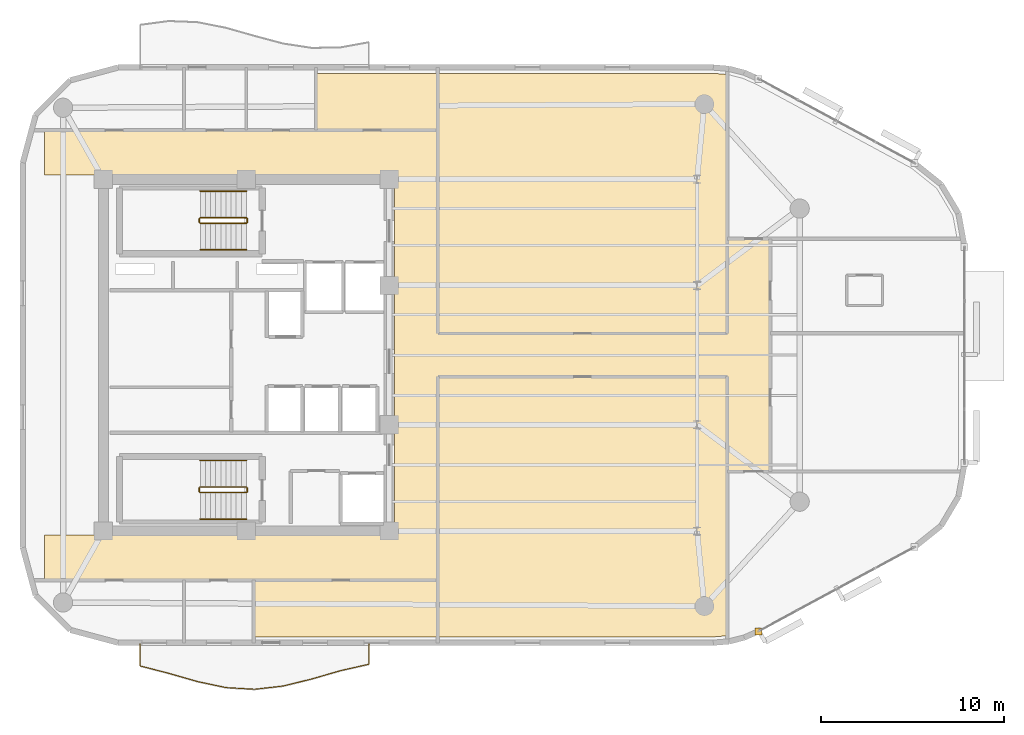
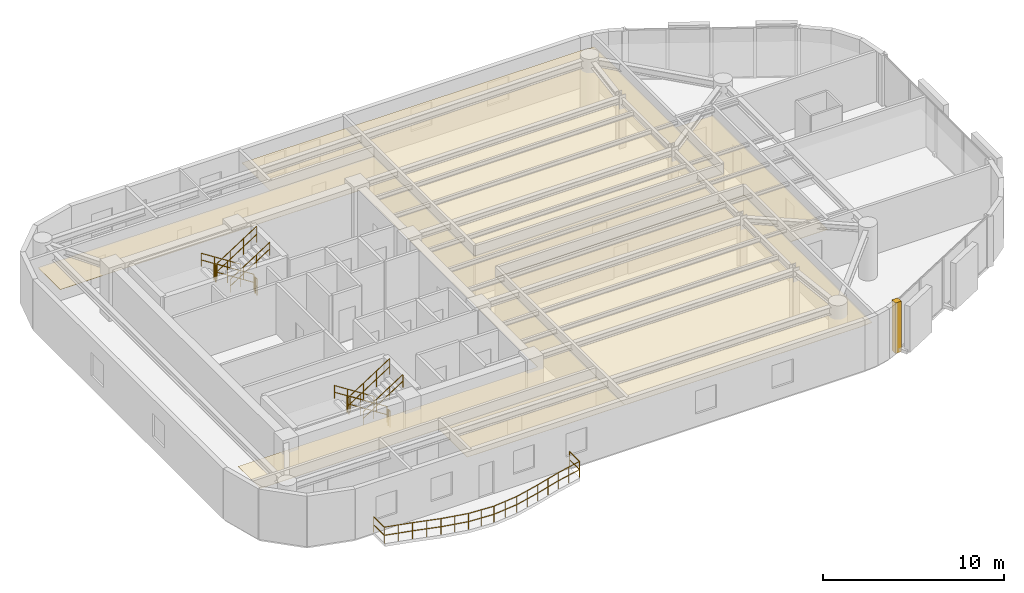
# One storey, part 12 of 13: 13 railings, 6 coverings.
"""IFC4 building model written with IfcOpenShell, lengths in metres."""

from ifc_helpers import new_model, si_unit, direction, frame, origin, origin_2d, place, context, subcontext, project, spatial, polyline, rectangle, circle, outline, extrude, material, layer, layer_set, type_object, element, save


model = new_model("IFC4")

# Units and contexts
model_context = context("Model", 3, precision=1e-05, world=origin(), true_north=direction((0.0, 1.0)))
body_context = subcontext(model_context, "Body", "Model", "MODEL_VIEW")
ifc_project = project(units=[si_unit("LENGTHUNIT", "METRE"), si_unit("AREAUNIT", "SQUARE_METRE"), si_unit("VOLUMEUNIT", "CUBIC_METRE"), si_unit("PLANEANGLEUNIT", "RADIAN"), si_unit("MASSUNIT", "GRAM", prefix="KILO")], contexts=[model_context])

# Site, building, storey
site_placement = place(None, origin())
site = spatial("IfcSite", under=ifc_project, at=site_placement, CompositionType="ELEMENT")
building_placement = place(site_placement, origin())
building = spatial("IfcBuilding", under=site, at=building_placement, Name="An Khanh Terracotta Commons", CompositionType="ELEMENT")
storey_placement = place(building_placement, frame((0.0, 0.0, 233.699951171875)))
storey = spatial("IfcBuildingStorey", under=building, at=storey_placement, Name="L61", CompositionType="ELEMENT", Elevation=233.699951171875)

# Coverings
ifc_material_1 = material(Name="Perforated Mineral-Fibre Acoustic Tile")
ifc_layer_1 = layer(ifc_material_1, 0.02001953125, Name="Perforated Mineral-Fibre Acoustic Tile")
ifc_layer_set_1 = layer_set([ifc_layer_1], Name="Perforated Mineral-Fibre Acoustic Tile")
covering_type_1 = type_object("IfcCoveringType", Name="CEIL-ACOUSTIC-18", PredefinedType="CEILING", material=ifc_layer_set_1)
covering_1_placement = place(storey_placement, frame((0.0, 0.0, 2.650146484375)))
element("IfcCovering", 1, at=covering_1_placement, inside=storey, type_object=covering_type_1, Name="L61 Corridor Ceiling", PredefinedType="CEILING", context=body_context, shape_type="SweptSolid", body=[
    extrude(outline(polyline([(18.39990234375, 11.719970703125), (18.39990234375, 14.179931640625), (37.5, 14.179931640625), (37.5, 33.820068359375), (18.39990234375, 33.820068359375), (18.39990234375, 36.280029296875), (37.5, 36.280029296875), (39.85009765625, 36.280029296875), (39.85009765625, 33.820068359375), (39.85009765625, 25.179931640625), (55.64990234375, 25.179931640625), (55.64990234375, 30.35009765625), (58.0, 30.35009765625), (58.0, 25.179931640625), (58.0, 22.820068359375), (58.0, 17.64990234375), (55.64990234375, 17.64990234375), (55.64990234375, 22.820068359375), (39.85009765625, 22.820068359375), (39.85009765625, 14.179931640625), (39.85009765625, 11.719970703125), (37.5, 11.719970703125), (18.39990234375, 11.719970703125)])), origin(), (0.0, 0.0, 1.0), 0.02001953125),
])
covering_2_placement = place(storey_placement, frame((0.0, 0.0, 2.650146484375)))
element("IfcCovering", 2, at=covering_2_placement, inside=storey, type_object=covering_type_1, Name="L61 Student Reading Library Ceiling", PredefinedType="CEILING", context=body_context, shape_type="SweptSolid", body=[
    extrude(outline(polyline([(54.8720703125, 39.3798828125), (55.64990234375, 39.31494140625), (55.64990234375, 30.35009765625), (55.64990234375, 25.179931640625), (39.85009765625, 25.179931640625), (39.85009765625, 33.820068359375), (39.85009765625, 36.280029296875), (39.85009765625, 39.3798828125), (54.8720703125, 39.3798828125)])), origin(), (0.0, 0.0, 1.0), 0.02001953125),
])
covering_3_placement = place(storey_placement, frame((0.0, 0.0, 2.650146484375)))
element("IfcCovering", 3, at=covering_3_placement, inside=storey, type_object=covering_type_1, Name="L61 Riverfront Reading Hall Ceiling", PredefinedType="CEILING", context=body_context, shape_type="SweptSolid", body=[
    extrude(outline(polyline([(54.8720703125, 8.6201171875), (39.85009765625, 8.6201171875), (39.85009765625, 11.719970703125), (39.85009765625, 14.179931640625), (39.85009765625, 22.820068359375), (55.64990234375, 22.820068359375), (55.64990234375, 17.64990234375), (55.64990234375, 8.68505859375), (54.8720703125, 8.6201171875)])), origin(), (0.0, 0.0, 1.0), 0.02001953125),
])
covering_4_placement = place(storey_placement, frame((0.0, 0.0, 2.650146484375)))
element("IfcCovering", 4, at=covering_4_placement, inside=storey, type_object=covering_type_1, Name="L61 Academic Seminar Room Ceiling", PredefinedType="CEILING", context=body_context, shape_type="SweptSolid", body=[
    extrude(outline(polyline([(39.85009765625, 39.3798828125), (39.85009765625, 36.280029296875), (37.5, 36.280029296875), (33.199951171875, 36.280029296875), (33.199951171875, 39.35009765625), (33.199951171875, 39.3798828125), (39.85009765625, 39.3798828125)])), origin(), (0.0, 0.0, 1.0), 0.02001953125),
])
covering_5_placement = place(storey_placement, frame((0.0, 0.0, 2.650146484375)))
element("IfcCovering", 5, at=covering_5_placement, inside=storey, type_object=covering_type_1, Name="L61 Academic Seminar Room Ceiling", PredefinedType="CEILING", context=body_context, shape_type="SweptSolid", body=[
    extrude(outline(polyline([(29.800048828125, 8.6201171875), (29.800048828125, 8.64990234375), (29.800048828125, 11.719970703125), (37.5, 11.719970703125), (39.85009765625, 11.719970703125), (39.85009765625, 8.6201171875), (29.800048828125, 8.6201171875)])), origin(), (0.0, 0.0, 1.0), 0.02001953125),
])
ifc_material_2 = material(Name="Fired Terracotta Rainscreen Cladding", Category="masonry")
ifc_layer_2 = layer(ifc_material_2, 0.080078125, Name="Fired Terracotta Rainscreen Cladding")
ifc_layer_set_2 = layer_set([ifc_layer_2], Name="Fired Terracotta Rainscreen Cladding")
covering_type_2 = type_object("IfcCoveringType", Name="COV-JAMB-TERRA", PredefinedType="CLADDING", material=ifc_layer_set_2)
covering_6_placement = place(storey_placement, frame((57.35693359375, 8.925048828125, 0.0), z_axis=(0.0, 0.0, 1.0), x_axis=(1.0, 0.0, 0.0)))
element("IfcCovering", 6, at=covering_6_placement, inside=storey, type_object=covering_type_2, Name="L61 CW-03 Curtain-Wall Jamb Closure JA", PredefinedType="CLADDING", context=body_context, shape_type="SweptSolid", body=[
    extrude(rectangle(XDim=0.3798828125, YDim=0.3798828125, at=origin_2d()), origin(), (0.0, 0.0, 1.0), 3.39990234375),
])

# Railings
ifc_material_3 = material(Name="Brushed Stainless Steel 316", Category="steel")
railing_type_1 = type_object("IfcRailingType", Name="RAIL-BALUSTRADE-1100", PredefinedType="BALUSTRADE", material=ifc_material_3)
railing_1_placement = place(storey_placement, frame((23.60009765625, 8.239990234375, 0.0)))
element("IfcRailing", 7, at=railing_1_placement, inside=storey, type_object=railing_type_1, Name="L61 S Wave Balcony Guard Balustrade", PredefinedType="BALUSTRADE", context=body_context, shape_type="SweptSolid", body=[
    extrude(circle(Radius=0.02392578125, at=origin_2d()), frame((0.0, 0.0, 1.076171875), z_axis=(0.0, -1.0, 0.0), x_axis=(1.0, 0.0, 0.0)), (0.0, 0.0, 1.0), 1.199951171875),
    extrude(circle(Radius=0.02392578125, at=origin_2d()), frame((0.0, 0.0, 0.52587890625), z_axis=(0.0, -1.0, 0.0), x_axis=(1.0, 0.0, 0.0)), (0.0, 0.0, 1.0), 1.199951171875),
    extrude(circle(Radius=0.02392578125, at=origin_2d()), frame((0.0, -1.199951171875, 1.076171875), z_axis=(0.968464779467, -0.24915049856, 0.0), x_axis=(0.24915049856, 0.968464779467, 0.0)), (0.0, 0.0, 1.0), 1.61376953125),
    extrude(circle(Radius=0.02392578125, at=origin_2d()), frame((0.0, -1.199951171875, 0.52587890625), z_axis=(0.968464779467, -0.24915049856, 0.0), x_axis=(0.24915049856, 0.968464779467, 0.0)), (0.0, 0.0, 1.0), 1.61376953125),
    extrude(circle(Radius=0.02392578125, at=origin_2d()), frame((1.56298828125, -1.60205078125, 1.076171875), z_axis=(0.961086255424, -0.27624845635, 0.0), x_axis=(0.27624845635, 0.961086255424, 0.0)), (0.0, 0.0, 1.0), 1.625244140625),
    extrude(circle(Radius=0.02392578125, at=origin_2d()), frame((1.56298828125, -1.60205078125, 0.52587890625), z_axis=(0.961086255424, -0.27624845635, 0.0), x_axis=(0.27624845635, 0.961086255424, 0.0)), (0.0, 0.0, 1.0), 1.625244140625),
    extrude(circle(Radius=0.02392578125, at=origin_2d()), frame((3.125, -2.051025390625, 1.076171875), z_axis=(0.97817205175, -0.207796624552, 0.0), x_axis=(0.207796624552, 0.97817205175, 0.0)), (0.0, 0.0, 1.0), 1.597900390625),
    extrude(circle(Radius=0.02392578125, at=origin_2d()), frame((3.125, -2.051025390625, 0.52587890625), z_axis=(0.97817205175, -0.207796624552, 0.0), x_axis=(0.207796624552, 0.97817205175, 0.0)), (0.0, 0.0, 1.0), 1.597900390625),
    extrude(circle(Radius=0.02392578125, at=origin_2d()), frame((4.68798828125, -2.383056640625, 1.076171875), z_axis=(0.998231609022, -0.059444551897, 0.0), x_axis=(0.059444551897, 0.998231609022, 0.0)), (0.0, 0.0, 1.0), 1.564697265625),
    extrude(circle(Radius=0.02392578125, at=origin_2d()), frame((4.68798828125, -2.383056640625, 0.52587890625), z_axis=(0.998231609022, -0.059444551897, 0.0), x_axis=(0.059444551897, 0.998231609022, 0.0)), (0.0, 0.0, 1.0), 1.564697265625),
    extrude(circle(Radius=0.02392578125, at=origin_2d()), frame((6.25, -2.47607421875, 1.076171875), z_axis=(0.993579111219, 0.113139514539, 0.0), x_axis=(-0.113139514539, 0.993579111219, 0.0)), (0.0, 0.0, 1.0), 1.572998046875),
    extrude(circle(Radius=0.02392578125, at=origin_2d()), frame((6.25, -2.47607421875, 0.52587890625), z_axis=(0.993579111219, 0.113139514539, 0.0), x_axis=(-0.113139514539, 0.993579111219, 0.0)), (0.0, 0.0, 1.0), 1.572998046875),
    extrude(circle(Radius=0.02392578125, at=origin_2d()), frame((7.81298828125, -2.298095703125, 1.076171875), z_axis=(0.970799395481, 0.239892754651, 0.0), x_axis=(-0.239892754651, 0.970799395481, 0.0)), (0.0, 0.0, 1.0), 1.60888671875),
    extrude(circle(Radius=0.02392578125, at=origin_2d()), frame((7.81298828125, -2.298095703125, 0.52587890625), z_axis=(0.970799395481, 0.239892754651, 0.0), x_axis=(-0.239892754651, 0.970799395481, 0.0)), (0.0, 0.0, 1.0), 1.60888671875),
    extrude(circle(Radius=0.02392578125, at=origin_2d()), frame((9.375, -1.912109375, 1.076171875), z_axis=(0.960612763992, 0.277890477806, 0.0), x_axis=(-0.277890477806, 0.960612763992, 0.0)), (0.0, 0.0, 1.0), 1.626953125),
    extrude(circle(Radius=0.02392578125, at=origin_2d()), frame((9.375, -1.912109375, 0.52587890625), z_axis=(0.960612763992, 0.277890477806, 0.0), x_axis=(-0.277890477806, 0.960612763992, 0.0)), (0.0, 0.0, 1.0), 1.626953125),
    extrude(circle(Radius=0.02392578125, at=origin_2d()), frame((10.93798828125, -1.4599609375, 1.076171875), z_axis=(0.975267439608, 0.221028100568, 0.0), x_axis=(-0.221028100568, 0.975267439608, 0.0)), (0.0, 0.0, 1.0), 1.6015625),
    extrude(circle(Radius=0.02392578125, at=origin_2d()), frame((10.93798828125, -1.4599609375, 0.52587890625), z_axis=(0.975267439608, 0.221028100568, 0.0), x_axis=(-0.221028100568, 0.975267439608, 0.0)), (0.0, 0.0, 1.0), 1.6015625),
    extrude(circle(Radius=0.02392578125, at=origin_2d()), frame((12.5, -1.10595703125, 1.076171875), z_axis=(0.0, 1.0, 0.0), x_axis=(-1.0, 0.0, 0.0)), (0.0, 0.0, 1.0), 1.10595703125),
    extrude(circle(Radius=0.02392578125, at=origin_2d()), frame((12.5, -1.10595703125, 0.52587890625), z_axis=(0.0, 1.0, 0.0), x_axis=(-1.0, 0.0, 0.0)), (0.0, 0.0, 1.0), 1.10595703125),
    extrude(circle(Radius=0.02099609375, at=origin_2d()), origin(), (0.0, 0.0, 1.0), 1.052001953125),
    extrude(circle(Radius=0.02099609375, at=origin_2d()), frame((0.0, -1.199951171875, 0.0)), (0.0, 0.0, 1.0), 1.052001953125),
    extrude(circle(Radius=0.02099609375, at=origin_2d()), frame((0.781494140625, -1.40087890625, 0.0)), (0.0, 0.0, 1.0), 1.052001953125),
    extrude(circle(Radius=0.02099609375, at=origin_2d()), frame((1.56298828125, -1.60205078125, 0.0)), (0.0, 0.0, 1.0), 1.052001953125),
    extrude(circle(Radius=0.02099609375, at=origin_2d()), frame((2.343994140625, -1.82666015625, 0.0)), (0.0, 0.0, 1.0), 1.052001953125),
    extrude(circle(Radius=0.02099609375, at=origin_2d()), frame((3.125, -2.051025390625, 0.0)), (0.0, 0.0, 1.0), 1.052001953125),
    extrude(circle(Radius=0.02099609375, at=origin_2d()), frame((3.906494140625, -2.217041015625, 0.0)), (0.0, 0.0, 1.0), 1.052001953125),
    extrude(circle(Radius=0.02099609375, at=origin_2d()), frame((4.68798828125, -2.383056640625, 0.0)), (0.0, 0.0, 1.0), 1.052001953125),
    extrude(circle(Radius=0.02099609375, at=origin_2d()), frame((5.468994140625, -2.4296875, 0.0)), (0.0, 0.0, 1.0), 1.052001953125),
    extrude(circle(Radius=0.02099609375, at=origin_2d()), frame((6.25, -2.47607421875, 0.0)), (0.0, 0.0, 1.0), 1.052001953125),
    extrude(circle(Radius=0.02099609375, at=origin_2d()), frame((7.031494140625, -2.38720703125, 0.0)), (0.0, 0.0, 1.0), 1.052001953125),
    extrude(circle(Radius=0.02099609375, at=origin_2d()), frame((7.81298828125, -2.298095703125, 0.0)), (0.0, 0.0, 1.0), 1.052001953125),
    extrude(circle(Radius=0.02099609375, at=origin_2d()), frame((8.593994140625, -2.10498046875, 0.0)), (0.0, 0.0, 1.0), 1.052001953125),
    extrude(circle(Radius=0.02099609375, at=origin_2d()), frame((9.375, -1.912109375, 0.0)), (0.0, 0.0, 1.0), 1.052001953125),
    extrude(circle(Radius=0.02099609375, at=origin_2d()), frame((10.156494140625, -1.68603515625, 0.0)), (0.0, 0.0, 1.0), 1.052001953125),
    extrude(circle(Radius=0.02099609375, at=origin_2d()), frame((10.93798828125, -1.4599609375, 0.0)), (0.0, 0.0, 1.0), 1.052001953125),
    extrude(circle(Radius=0.02099609375, at=origin_2d()), frame((11.718994140625, -1.282958984375, 0.0)), (0.0, 0.0, 1.0), 1.052001953125),
    extrude(circle(Radius=0.02099609375, at=origin_2d()), frame((12.5, -1.10595703125, 0.0)), (0.0, 0.0, 1.0), 1.052001953125),
    extrude(circle(Radius=0.02099609375, at=origin_2d()), frame((12.5, 0.0, 0.0)), (0.0, 0.0, 1.0), 1.052001953125),
])
railing_type_2 = type_object("IfcRailingType", Name="RAIL-HANDRAIL-900", PredefinedType="HANDRAIL", material=ifc_material_3)
railing_2_placement = place(storey_placement, frame((29.409912109375, 32.949951171875, 0.179931640625)))
element("IfcRailing", 8, at=railing_2_placement, inside=storey, type_object=railing_type_2, Name="L61 ST-01 stair handrail 1", PredefinedType="HANDRAIL", context=body_context, shape_type="SweptSolid", body=[
    extrude(circle(Radius=0.02392578125, at=origin_2d()), frame((0.0, 0.0, 0.8759765625), z_axis=(-0.841162588446, 0.0, 0.540782303519), x_axis=(0.0, -1.0, 0.0)), (0.0, 0.0, 1.0), 2.995849609375),
    extrude(circle(Radius=0.02392578125, at=origin_2d()), frame((0.0, 0.0, 0.42578125), z_axis=(-0.841162588446, 0.0, 0.540782303519), x_axis=(0.0, -1.0, 0.0)), (0.0, 0.0, 1.0), 2.995849609375),
    extrude(circle(Radius=0.02099609375, at=origin_2d()), origin(), (0.0, 0.0, 1.0), 0.851806640625),
    extrude(circle(Radius=0.02099609375, at=origin_2d()), frame((-0.840087890625, 0.0, 0.5400390625)), (0.0, 0.0, 1.0), 0.851806640625),
    extrude(circle(Radius=0.02099609375, at=origin_2d()), frame((-1.679931640625, 0.0, 1.080078125)), (0.0, 0.0, 1.0), 0.851806640625),
    extrude(circle(Radius=0.02099609375, at=origin_2d()), frame((-2.52001953125, 0.0, 1.6201171875)), (0.0, 0.0, 1.0), 0.851806640625),
])
railing_3_placement = place(storey_placement, frame((26.889892578125, 29.75, 1.97998046875)))
element("IfcRailing", 9, at=railing_3_placement, inside=storey, type_object=railing_type_2, Name="L61 ST-01 stair handrail 2", PredefinedType="HANDRAIL", context=body_context, shape_type="SweptSolid", body=[
    extrude(circle(Radius=0.02392578125, at=origin_2d()), frame((0.0, 0.0, 0.8759765625), z_axis=(0.841162588446, 0.0, 0.540782303519), x_axis=(0.0, 1.0, 0.0)), (0.0, 0.0, 1.0), 2.995849609375),
    extrude(circle(Radius=0.02392578125, at=origin_2d()), frame((0.0, 0.0, 0.42578125), z_axis=(0.841162588446, 0.0, 0.540782303519), x_axis=(0.0, 1.0, 0.0)), (0.0, 0.0, 1.0), 2.995849609375),
    extrude(circle(Radius=0.02099609375, at=origin_2d()), origin(), (0.0, 0.0, 1.0), 0.851806640625),
    extrude(circle(Radius=0.02099609375, at=origin_2d()), frame((0.840087890625, 0.0, 0.5400390625)), (0.0, 0.0, 1.0), 0.851806640625),
    extrude(circle(Radius=0.02099609375, at=origin_2d()), frame((1.679931640625, 0.0, 1.080078125)), (0.0, 0.0, 1.0), 0.851806640625),
    extrude(circle(Radius=0.02099609375, at=origin_2d()), frame((2.52001953125, 0.0, 1.6201171875)), (0.0, 0.0, 1.0), 0.851806640625),
])
railing_4_placement = place(storey_placement, frame((29.409912109375, 18.25, 0.179931640625)))
element("IfcRailing", 10, at=railing_4_placement, inside=storey, type_object=railing_type_2, Name="L61 ST-02 stair handrail 1", PredefinedType="HANDRAIL", context=body_context, shape_type="SweptSolid", body=[
    extrude(circle(Radius=0.02392578125, at=origin_2d()), frame((0.0, 0.0, 0.8759765625), z_axis=(-0.841162588446, 0.0, 0.540782303519), x_axis=(0.0, -1.0, 0.0)), (0.0, 0.0, 1.0), 2.995849609375),
    extrude(circle(Radius=0.02392578125, at=origin_2d()), frame((0.0, 0.0, 0.42578125), z_axis=(-0.841162588446, 0.0, 0.540782303519), x_axis=(0.0, -1.0, 0.0)), (0.0, 0.0, 1.0), 2.995849609375),
    extrude(circle(Radius=0.02099609375, at=origin_2d()), origin(), (0.0, 0.0, 1.0), 0.851806640625),
    extrude(circle(Radius=0.02099609375, at=origin_2d()), frame((-0.840087890625, 0.0, 0.5400390625)), (0.0, 0.0, 1.0), 0.851806640625),
    extrude(circle(Radius=0.02099609375, at=origin_2d()), frame((-1.679931640625, 0.0, 1.080078125)), (0.0, 0.0, 1.0), 0.851806640625),
    extrude(circle(Radius=0.02099609375, at=origin_2d()), frame((-2.52001953125, 0.0, 1.6201171875)), (0.0, 0.0, 1.0), 0.851806640625),
])
railing_5_placement = place(storey_placement, frame((26.889892578125, 15.050048828125, 1.97998046875)))
element("IfcRailing", 11, at=railing_5_placement, inside=storey, type_object=railing_type_2, Name="L61 ST-02 stair handrail 2", PredefinedType="HANDRAIL", context=body_context, shape_type="SweptSolid", body=[
    extrude(circle(Radius=0.02392578125, at=origin_2d()), frame((0.0, 0.0, 0.8759765625), z_axis=(0.841162588446, 0.0, 0.540782303519), x_axis=(0.0, 1.0, 0.0)), (0.0, 0.0, 1.0), 2.995849609375),
    extrude(circle(Radius=0.02392578125, at=origin_2d()), frame((0.0, 0.0, 0.42578125), z_axis=(0.841162588446, 0.0, 0.540782303519), x_axis=(0.0, 1.0, 0.0)), (0.0, 0.0, 1.0), 2.995849609375),
    extrude(circle(Radius=0.02099609375, at=origin_2d()), origin(), (0.0, 0.0, 1.0), 0.851806640625),
    extrude(circle(Radius=0.02099609375, at=origin_2d()), frame((0.840087890625, 0.0, 0.5400390625)), (0.0, 0.0, 1.0), 0.851806640625),
    extrude(circle(Radius=0.02099609375, at=origin_2d()), frame((1.679931640625, 0.0, 1.080078125)), (0.0, 0.0, 1.0), 0.851806640625),
    extrude(circle(Radius=0.02099609375, at=origin_2d()), frame((2.52001953125, 0.0, 1.6201171875)), (0.0, 0.0, 1.0), 0.851806640625),
])
ifc_material_4 = material(Name="Powder-Coated Steel S355J2", Category="steel")
railing_type_3 = type_object("IfcRailingType", Name="RAIL-STAIR-GUARD-1100", PredefinedType="BALUSTRADE", material=ifc_material_4)
railing_6_placement = place(storey_placement, frame((29.409912109375, 31.5, 0.179931640625)))
element("IfcRailing", 12, at=railing_6_placement, inside=storey, type_object=railing_type_3, Name="L61 ST-01 stair guard 1", PredefinedType="BALUSTRADE", context=body_context, shape_type="SweptSolid", body=[
    extrude(circle(Radius=0.02392578125, at=origin_2d()), frame((0.0, 0.0, 1.076171875), z_axis=(-0.841162588446, 0.0, 0.540782303519), x_axis=(0.0, -1.0, 0.0)), (0.0, 0.0, 1.0), 2.995849609375),
    extrude(circle(Radius=0.02392578125, at=origin_2d()), frame((0.0, 0.0, 0.52587890625), z_axis=(-0.841162588446, 0.0, 0.540782303519), x_axis=(0.0, -1.0, 0.0)), (0.0, 0.0, 1.0), 2.995849609375),
    extrude(circle(Radius=0.02099609375, at=origin_2d()), origin(), (0.0, 0.0, 1.0), 1.052001953125),
    extrude(circle(Radius=0.02099609375, at=origin_2d()), frame((-0.840087890625, 0.0, 0.5400390625)), (0.0, 0.0, 1.0), 1.052001953125),
    extrude(circle(Radius=0.02099609375, at=origin_2d()), frame((-1.679931640625, 0.0, 1.080078125)), (0.0, 0.0, 1.0), 1.052001953125),
    extrude(circle(Radius=0.02099609375, at=origin_2d()), frame((-2.52001953125, 0.0, 1.6201171875)), (0.0, 0.0, 1.0), 1.052001953125),
])
railing_7_placement = place(storey_placement, frame((26.840087890625, 31.449951171875, 1.800048828125)))
element("IfcRailing", 13, at=railing_7_placement, inside=storey, type_object=railing_type_3, Name="L61 ST-01 stair guard 2", PredefinedType="BALUSTRADE", context=body_context, shape_type="SweptSolid", body=[
    extrude(circle(Radius=0.02392578125, at=origin_2d()), frame((0.0, 0.0, 1.076171875), z_axis=(0.0, -1.0, 0.0), x_axis=(1.0, 0.0, 0.0)), (0.0, 0.0, 1.0), 0.199951171875),
    extrude(circle(Radius=0.02392578125, at=origin_2d()), frame((0.0, 0.0, 0.52587890625), z_axis=(0.0, -1.0, 0.0), x_axis=(1.0, 0.0, 0.0)), (0.0, 0.0, 1.0), 0.199951171875),
    extrude(circle(Radius=0.02099609375, at=origin_2d()), origin(), (0.0, 0.0, 1.0), 1.052001953125),
    extrude(circle(Radius=0.02099609375, at=origin_2d()), frame((0.0, -0.199951171875, 0.0)), (0.0, 0.0, 1.0), 1.052001953125),
])
railing_8_placement = place(storey_placement, frame((26.889892578125, 31.199951171875, 1.97998046875)))
element("IfcRailing", 14, at=railing_8_placement, inside=storey, type_object=railing_type_3, Name="L61 ST-01 stair guard 3", PredefinedType="BALUSTRADE", context=body_context, shape_type="SweptSolid", body=[
    extrude(circle(Radius=0.02392578125, at=origin_2d()), frame((0.0, 0.0, 1.076171875), z_axis=(0.841162588446, 0.0, 0.540782303519), x_axis=(0.0, 1.0, 0.0)), (0.0, 0.0, 1.0), 2.995849609375),
    extrude(circle(Radius=0.02392578125, at=origin_2d()), frame((0.0, 0.0, 0.52587890625), z_axis=(0.841162588446, 0.0, 0.540782303519), x_axis=(0.0, 1.0, 0.0)), (0.0, 0.0, 1.0), 2.995849609375),
    extrude(circle(Radius=0.02099609375, at=origin_2d()), origin(), (0.0, 0.0, 1.0), 1.052001953125),
    extrude(circle(Radius=0.02099609375, at=origin_2d()), frame((0.840087890625, 0.0, 0.5400390625)), (0.0, 0.0, 1.0), 1.052001953125),
    extrude(circle(Radius=0.02099609375, at=origin_2d()), frame((1.679931640625, 0.0, 1.080078125)), (0.0, 0.0, 1.0), 1.052001953125),
    extrude(circle(Radius=0.02099609375, at=origin_2d()), frame((2.52001953125, 0.0, 1.6201171875)), (0.0, 0.0, 1.0), 1.052001953125),
])
railing_9_placement = place(storey_placement, frame((29.4599609375, 31.449951171875, 0.0)))
element("IfcRailing", 15, at=railing_9_placement, inside=storey, type_object=railing_type_3, Name="L61 ST-01 stair guard 4", PredefinedType="BALUSTRADE", context=body_context, shape_type="SweptSolid", body=[
    extrude(circle(Radius=0.02392578125, at=origin_2d()), frame((0.0, 0.0, 1.076171875), z_axis=(0.0, -1.0, 0.0), x_axis=(1.0, 0.0, 0.0)), (0.0, 0.0, 1.0), 0.199951171875),
    extrude(circle(Radius=0.02392578125, at=origin_2d()), frame((0.0, 0.0, 0.52587890625), z_axis=(0.0, -1.0, 0.0), x_axis=(1.0, 0.0, 0.0)), (0.0, 0.0, 1.0), 0.199951171875),
    extrude(circle(Radius=0.02099609375, at=origin_2d()), origin(), (0.0, 0.0, 1.0), 1.052001953125),
    extrude(circle(Radius=0.02099609375, at=origin_2d()), frame((0.0, -0.199951171875, 0.0)), (0.0, 0.0, 1.0), 1.052001953125),
])
railing_10_placement = place(storey_placement, frame((29.409912109375, 16.800048828125, 0.179931640625)))
element("IfcRailing", 16, at=railing_10_placement, inside=storey, type_object=railing_type_3, Name="L61 ST-02 stair guard 1", PredefinedType="BALUSTRADE", context=body_context, shape_type="SweptSolid", body=[
    extrude(circle(Radius=0.02392578125, at=origin_2d()), frame((0.0, 0.0, 1.076171875), z_axis=(-0.841162588446, 0.0, 0.540782303519), x_axis=(0.0, -1.0, 0.0)), (0.0, 0.0, 1.0), 2.995849609375),
    extrude(circle(Radius=0.02392578125, at=origin_2d()), frame((0.0, 0.0, 0.52587890625), z_axis=(-0.841162588446, 0.0, 0.540782303519), x_axis=(0.0, -1.0, 0.0)), (0.0, 0.0, 1.0), 2.995849609375),
    extrude(circle(Radius=0.02099609375, at=origin_2d()), origin(), (0.0, 0.0, 1.0), 1.052001953125),
    extrude(circle(Radius=0.02099609375, at=origin_2d()), frame((-0.840087890625, 0.0, 0.5400390625)), (0.0, 0.0, 1.0), 1.052001953125),
    extrude(circle(Radius=0.02099609375, at=origin_2d()), frame((-1.679931640625, 0.0, 1.080078125)), (0.0, 0.0, 1.0), 1.052001953125),
    extrude(circle(Radius=0.02099609375, at=origin_2d()), frame((-2.52001953125, 0.0, 1.6201171875)), (0.0, 0.0, 1.0), 1.052001953125),
])
railing_11_placement = place(storey_placement, frame((26.840087890625, 16.75, 1.800048828125)))
element("IfcRailing", 17, at=railing_11_placement, inside=storey, type_object=railing_type_3, Name="L61 ST-02 stair guard 2", PredefinedType="BALUSTRADE", context=body_context, shape_type="SweptSolid", body=[
    extrude(circle(Radius=0.02392578125, at=origin_2d()), frame((0.0, 0.0, 1.076171875), z_axis=(0.0, -1.0, 0.0), x_axis=(1.0, 0.0, 0.0)), (0.0, 0.0, 1.0), 0.199951171875),
    extrude(circle(Radius=0.02392578125, at=origin_2d()), frame((0.0, 0.0, 0.52587890625), z_axis=(0.0, -1.0, 0.0), x_axis=(1.0, 0.0, 0.0)), (0.0, 0.0, 1.0), 0.199951171875),
    extrude(circle(Radius=0.02099609375, at=origin_2d()), origin(), (0.0, 0.0, 1.0), 1.052001953125),
    extrude(circle(Radius=0.02099609375, at=origin_2d()), frame((0.0, -0.199951171875, 0.0)), (0.0, 0.0, 1.0), 1.052001953125),
])
railing_12_placement = place(storey_placement, frame((26.889892578125, 16.5, 1.97998046875)))
element("IfcRailing", 18, at=railing_12_placement, inside=storey, type_object=railing_type_3, Name="L61 ST-02 stair guard 3", PredefinedType="BALUSTRADE", context=body_context, shape_type="SweptSolid", body=[
    extrude(circle(Radius=0.02392578125, at=origin_2d()), frame((0.0, 0.0, 1.076171875), z_axis=(0.841162588446, 0.0, 0.540782303519), x_axis=(0.0, 1.0, 0.0)), (0.0, 0.0, 1.0), 2.995849609375),
    extrude(circle(Radius=0.02392578125, at=origin_2d()), frame((0.0, 0.0, 0.52587890625), z_axis=(0.841162588446, 0.0, 0.540782303519), x_axis=(0.0, 1.0, 0.0)), (0.0, 0.0, 1.0), 2.995849609375),
    extrude(circle(Radius=0.02099609375, at=origin_2d()), origin(), (0.0, 0.0, 1.0), 1.052001953125),
    extrude(circle(Radius=0.02099609375, at=origin_2d()), frame((0.840087890625, 0.0, 0.5400390625)), (0.0, 0.0, 1.0), 1.052001953125),
    extrude(circle(Radius=0.02099609375, at=origin_2d()), frame((1.679931640625, 0.0, 1.080078125)), (0.0, 0.0, 1.0), 1.052001953125),
    extrude(circle(Radius=0.02099609375, at=origin_2d()), frame((2.52001953125, 0.0, 1.6201171875)), (0.0, 0.0, 1.0), 1.052001953125),
])
railing_13_placement = place(storey_placement, frame((29.4599609375, 16.75, 0.0)))
element("IfcRailing", 19, at=railing_13_placement, inside=storey, type_object=railing_type_3, Name="L61 ST-02 stair guard 4", PredefinedType="BALUSTRADE", context=body_context, shape_type="SweptSolid", body=[
    extrude(circle(Radius=0.02392578125, at=origin_2d()), frame((0.0, 0.0, 1.076171875), z_axis=(0.0, -1.0, 0.0), x_axis=(1.0, 0.0, 0.0)), (0.0, 0.0, 1.0), 0.199951171875),
    extrude(circle(Radius=0.02392578125, at=origin_2d()), frame((0.0, 0.0, 0.52587890625), z_axis=(0.0, -1.0, 0.0), x_axis=(1.0, 0.0, 0.0)), (0.0, 0.0, 1.0), 0.199951171875),
    extrude(circle(Radius=0.02099609375, at=origin_2d()), origin(), (0.0, 0.0, 1.0), 1.052001953125),
    extrude(circle(Radius=0.02099609375, at=origin_2d()), frame((0.0, -0.199951171875, 0.0)), (0.0, 0.0, 1.0), 1.052001953125),
])

save(model, "model.ifc")
